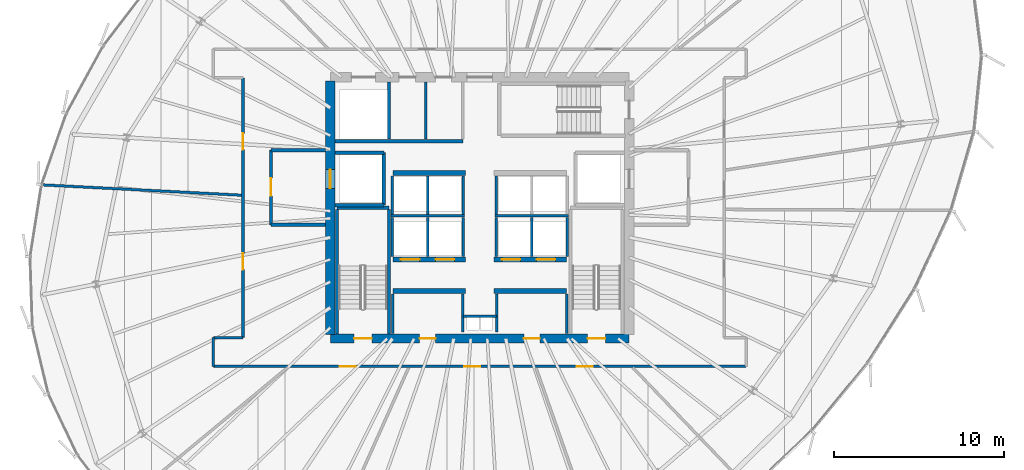
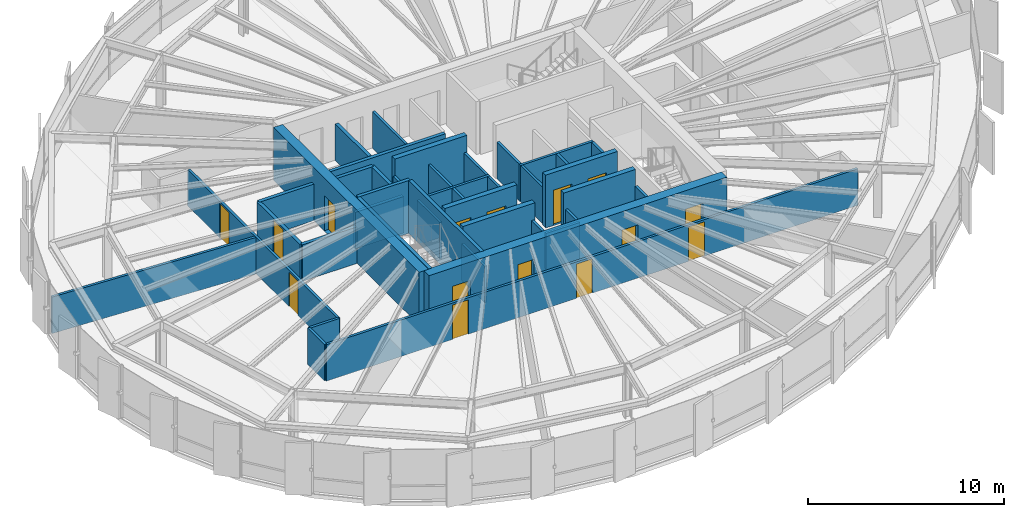
# One storey, part 26 of 32: 41 walls, 15 doors, 15 openings.
"""IFC4 building model written with IfcOpenShell, lengths in metres."""

from ifc_helpers import new_model, si_unit, direction, frame, frame_2d, origin, place, context, subcontext, project, spatial, rectangle, extrude, source, transform, mapped, material, layer, layer_set, type_object, element, fill, save


model = new_model("IFC4")

# Units and contexts
model_context = context("Model", 3, precision=1e-05, world=origin(), true_north=direction((0.0, 1.0)))
body_context = subcontext(model_context, "Body", "Model", "MODEL_VIEW")
ifc_project = project(units=[si_unit("LENGTHUNIT", "METRE"), si_unit("AREAUNIT", "SQUARE_METRE"), si_unit("VOLUMEUNIT", "CUBIC_METRE"), si_unit("PLANEANGLEUNIT", "RADIAN"), si_unit("MASSUNIT", "GRAM", prefix="KILO"), si_unit("THERMODYNAMICTEMPERATUREUNIT", "KELVIN")], contexts=[model_context])

# Site, building, storey
site_placement = place(None, origin())
site = spatial("IfcSite", under=ifc_project, at=site_placement, CompositionType="ELEMENT")
building_placement = place(site_placement, origin())
building = spatial("IfcBuilding", under=site, at=building_placement, Name="Kethvar Cultural Tower", CompositionType="ELEMENT")
storey_placement = place(building_placement, frame((0.0, 0.0, 160.75)))
storey = spatial("IfcBuildingStorey", under=building, at=storey_placement, Name="L41", CompositionType="ELEMENT", Elevation=160.75)

# Wall, openings, doors
ifc_material_1 = material(Name="Concrete C60/75", Category="concrete")
ifc_layer_1 = layer(ifc_material_1, 0.550048828125, Name="Concrete C60/75", Category="concrete")
ifc_layer_set_1 = layer_set([ifc_layer_1], Name="Concrete C60/75 (550 mm)")
wall_type_1 = type_object("IfcWallType", Name="WL-CORE-550", PredefinedType="SHEAR", material=ifc_layer_set_1)
wall_1_placement = place(storey_placement, frame((38.0, 20.10009765625, 0.0), z_axis=(0.0, 0.0, 1.0), x_axis=(1.0, 0.0, 0.0)))
wall_1 = element("IfcWall", 1, at=wall_1_placement, inside=storey, type_object=wall_type_1, Name="L41 Core Shear Wall S", PredefinedType="SHEAR", context=body_context, shape_type="SweptSolid", body=[
    extrude(rectangle(XDim=17.60009765625, YDim=0.550048828125, at=frame_2d((8.800048828125, 0.0))), origin(), (0.0, 0.0, 1.0), 3.300048828125),
])
opening_1_placement = place(wall_1_placement, frame((1.39990234375, 0.0, 0.0)))
opening_1 = element("IfcOpeningElement", 2, at=opening_1_placement, cuts=wall_1, Name="Opening D-L41-S1", PredefinedType="OPENING", context=body_context, shape_type="SweptSolid", body=[
    extrude(rectangle(XDim=1.050048828125, YDim=2.14990234375, at=frame_2d((0.52490234375, 1.074951171875))), frame((0.0, 0.284912109375, 0.0), z_axis=(0.0, -1.0, 0.0), x_axis=(1.0, 0.0, 0.0)), (0.0, 0.0, 1.0), 0.570068359375),
])
opening_2_placement = place(wall_1_placement, frame((15.14990234375, 0.0, 0.0)))
opening_2 = element("IfcOpeningElement", 3, at=opening_2_placement, cuts=wall_1, Name="Opening D-L41-ST2", PredefinedType="OPENING", context=body_context, shape_type="SweptSolid", body=[
    extrude(rectangle(XDim=1.050048828125, YDim=2.14990234375, at=frame_2d((0.52490234375, 1.074951171875))), frame((0.0, 0.284912109375, 0.0), z_axis=(0.0, -1.0, 0.0), x_axis=(1.0, 0.0, 0.0)), (0.0, 0.0, 1.0), 0.570068359375),
])
opening_3_placement = place(wall_1_placement, frame((5.25, 0.0, 0.0)))
opening_3 = element("IfcOpeningElement", 4, at=opening_3_placement, cuts=wall_1, Name="Opening D-L41-V1", PredefinedType="OPENING", context=body_context, shape_type="SweptSolid", body=[
    extrude(rectangle(XDim=0.949951171875, YDim=2.14990234375, at=frame_2d((0.47509765625, 1.074951171875))), frame((0.0, 0.284912109375, 0.0), z_axis=(0.0, -1.0, 0.0), x_axis=(1.0, 0.0, 0.0)), (0.0, 0.0, 1.0), 0.570068359375),
])
opening_4_placement = place(wall_1_placement, frame((11.39990234375, 0.0, 0.0)))
opening_4 = element("IfcOpeningElement", 5, at=opening_4_placement, cuts=wall_1, Name="Opening D-L41-V2", PredefinedType="OPENING", context=body_context, shape_type="SweptSolid", body=[
    extrude(rectangle(XDim=0.949951171875, YDim=2.14990234375, at=frame_2d((0.47509765625, 1.074951171875))), frame((0.0, 0.284912109375, 0.0), z_axis=(0.0, -1.0, 0.0), x_axis=(1.0, 0.0, 0.0)), (0.0, 0.0, 1.0), 0.570068359375),
])
ifc_material_2 = material(Name="Steel S355J2", Category="steel")
door_type_1 = type_object("IfcDoorType", Name="DR-FD60-1050", OperationType="NOTDEFINED", PredefinedType="DOOR", material=ifc_material_2)
shared_shape_1 = source(origin(), body_context, "Body", "SweptSolid", [
    extrude(rectangle(XDim=1.050048828125, YDim=2.14990234375, at=frame_2d((0.52490234375, 1.074951171875))), frame((0.0, 0.02490234375, 0.0), z_axis=(0.0, -1.0, 0.0), x_axis=(1.0, 0.0, 0.0)), (0.0, 0.0, 1.0), 0.050048828125),
])
door_1_placement = place(opening_1_placement, origin())
door_1 = element("IfcDoor", 6, at=door_1_placement, inside=storey, type_object=door_type_1, Name="L41 Exit Stair 1 Door", OperationType="SINGLE_SWING_LEFT", OverallHeight=2.14990234375, OverallWidth=1.050048828125, PredefinedType="DOOR", context=body_context, shape_type="MappedRepresentation", body=[
    mapped(shared_shape_1, transform((0.0, 0.0, 0.0), scale=1.0)),
])
fill(opening_1, door_1)
door_2_placement = place(opening_2_placement, origin())
door_2 = element("IfcDoor", 7, at=door_2_placement, inside=storey, type_object=door_type_1, Name="L41 Exit Stair 2 Door", OperationType="SINGLE_SWING_RIGHT", OverallHeight=2.14990234375, OverallWidth=1.050048828125, PredefinedType="DOOR", context=body_context, shape_type="MappedRepresentation", body=[
    mapped(shared_shape_1, transform((0.0, 0.0, 0.0), scale=1.0)),
])
fill(opening_2, door_2)
ifc_material_3 = material(Name="Architectural Oak Timber", Category="wood")
door_type_2 = type_object("IfcDoorType", Name="DR-FD30-950", OperationType="NOTDEFINED", PredefinedType="DOOR", material=ifc_material_3)
shared_shape_2 = source(origin(), body_context, "Body", "SweptSolid", [
    extrude(rectangle(XDim=0.949951171875, YDim=2.14990234375, at=frame_2d((0.47509765625, 1.074951171875))), frame((0.0, 0.02490234375, 0.0), z_axis=(0.0, -1.0, 0.0), x_axis=(1.0, 0.0, 0.0)), (0.0, 0.0, 1.0), 0.050048828125),
])
door_3_placement = place(opening_3_placement, origin())
door_3 = element("IfcDoor", 8, at=door_3_placement, inside=storey, type_object=door_type_2, Name="L41 Reclaimed West Room Door", OperationType="SINGLE_SWING_LEFT", OverallHeight=2.14990234375, OverallWidth=0.949951171875, PredefinedType="DOOR", context=body_context, shape_type="MappedRepresentation", body=[
    mapped(shared_shape_2, transform((0.0, 0.0, 0.0), scale=1.0)),
])
fill(opening_3, door_3)
door_4_placement = place(opening_4_placement, origin())
door_4 = element("IfcDoor", 9, at=door_4_placement, inside=storey, type_object=door_type_2, Name="L41 Reclaimed East Room Door", OperationType="SINGLE_SWING_RIGHT", OverallHeight=2.14990234375, OverallWidth=0.949951171875, PredefinedType="DOOR", context=body_context, shape_type="MappedRepresentation", body=[
    mapped(shared_shape_2, transform((0.0, 0.0, 0.0), scale=1.0)),
])
fill(opening_4, door_4)

# Wall, opening, door
wall_2_placement = place(storey_placement, frame((38.0, 35.260009765625, 0.0), z_axis=(0.0, 0.0, 1.0), x_axis=(0.0, -1.0, 0.0)))
wall_2 = element("IfcWall", 10, at=wall_2_placement, inside=storey, type_object=wall_type_1, Name="L41 Core Shear Wall W", PredefinedType="SHEAR", context=body_context, shape_type="SweptSolid", body=[
    extrude(rectangle(XDim=14.919921875, YDim=0.550048828125, at=frame_2d((7.4599609375, 0.0))), origin(), (0.0, 0.0, 1.0), 3.300048828125),
])
opening_5_placement = place(wall_2_placement, frame((5.2099609375, 0.0, 0.0)))
opening_5 = element("IfcOpeningElement", 11, at=opening_5_placement, cuts=wall_2, Name="Opening LD-1", PredefinedType="OPENING", context=body_context, shape_type="SweptSolid", body=[
    extrude(rectangle(XDim=1.10009765625, YDim=2.199951171875, at=frame_2d((0.550048828125, 1.10009765625))), frame((0.0, 0.284912109375, 0.0), z_axis=(0.0, -1.0, 0.0), x_axis=(1.0, 0.0, 0.0)), (0.0, 0.0, 1.0), 0.570068359375),
])
door_type_3 = type_object("IfcDoorType", Name="DR-LIFT-SLIDE-1100", OperationType="NOTDEFINED", PredefinedType="DOOR", material=ifc_material_2)
shared_shape_3 = source(origin(), body_context, "Body", "SweptSolid", [
    extrude(rectangle(XDim=1.10009765625, YDim=2.199951171875, at=frame_2d((0.550048828125, 1.10009765625))), frame((0.0, 0.02490234375, 0.0), z_axis=(0.0, -1.0, 0.0), x_axis=(1.0, 0.0, 0.0)), (0.0, 0.0, 1.0), 0.050048828125),
])
door_5_placement = place(opening_5_placement, origin())
door_5 = element("IfcDoor", 12, at=door_5_placement, inside=storey, type_object=door_type_3, Name="L41 Firefighting Lift Landing Door FFL-01", OperationType="SLIDING_TO_LEFT", OverallHeight=2.199951171875, OverallWidth=1.10009765625, PredefinedType="DOOR", context=body_context, shape_type="MappedRepresentation", body=[
    mapped(shared_shape_3, transform((0.0, 0.0, 0.0), scale=1.0)),
])
fill(opening_5, door_5)

# Walls
ifc_material_4 = material(Name="Gypsum Fireboard Partition")
ifc_layer_2 = layer(ifc_material_4, 0.14990234375, Name="Gypsum Fireboard Partition")
ifc_layer_set_2 = layer_set([ifc_layer_2], Name="Gypsum Fireboard Partition (150 mm)")
wall_type_2 = type_object("IfcWallType", Name="WL-FIRE-150", PredefinedType="PARTITIONING", material=ifc_layer_set_2)
wall_3_placement = place(storey_placement, frame((45.800048828125, 21.419921875, 0.0), z_axis=(0.0, 0.0, 1.0), x_axis=(1.0, 0.0, 0.0)))
element("IfcWall", 13, at=wall_3_placement, inside=storey, type_object=wall_type_2, Name="L41 Core Riser Wall", PredefinedType="PARTITIONING", context=body_context, shape_type="SweptSolid", body=[
    extrude(rectangle(XDim=2.0, YDim=0.14990234375, at=frame_2d((1.0, 0.0))), origin(), (0.0, 0.0, 1.0), 2.280029296875),
])
for number, where, z_axis, x_axis, name in (
    (14, (45.800048828125, 20.47998046875, 0.0), (0.0, 0.0, 1.0), (0.0, 1.0, 0.0), "L41 Core Riser West Wall"),
    (15, (47.800048828125, 20.47998046875, 0.0), (0.0, 0.0, 1.0), (0.0, 1.0, 0.0), "L41 Core Riser East Wall"),
):
    element("IfcWall", number, at=place(storey_placement, frame(where, z_axis=z_axis, x_axis=x_axis)), inside=storey, type_object=wall_type_2, Name=name, PredefinedType="PARTITIONING", context=body_context, shape_type="SweptSolid", body=[
        extrude(rectangle(XDim=2.239990234375, YDim=0.14990234375, at=frame_2d((1.1201171875, 0.0))), origin(), (0.0, 0.0, 1.0), 2.280029296875),
    ])
for number, where, z_axis, x_axis, name in (
    (16, (41.679931640625, 20.385009765625, 0.0), (0.0, 0.0, 1.0), (0.0, 1.0, 0.0), "L41 Reclaimed West Outer Wall"),
    (17, (51.919921875, 20.385009765625, 0.0), (0.0, 0.0, 1.0), (0.0, 1.0, 0.0), "L41 Reclaimed East Outer Wall"),
):
    element("IfcWall", number, at=place(storey_placement, frame(where, z_axis=z_axis, x_axis=x_axis)), inside=storey, type_object=wall_type_2, Name=name, PredefinedType="PARTITIONING", context=body_context, shape_type="SweptSolid", body=[
        extrude(rectangle(XDim=2.344970703125, YDim=0.14990234375, at=frame_2d((1.17236328125, 0.0))), origin(), (0.0, 0.0, 1.0), 2.280029296875),
    ])
wall_4_placement = place(storey_placement, frame((41.580078125, 27.324951171875, 0.0), z_axis=(0.0, 0.0, 1.0), x_axis=(1.0, 0.0, 0.0)))
element("IfcWall", 18, at=wall_4_placement, inside=storey, type_object=wall_type_2, Name="L41 Mid-High Lift Shaft Back Wall W", PredefinedType="PARTITIONING", context=body_context, shape_type="SweptSolid", body=[
    extrude(rectangle(XDim=4.31982421875, YDim=0.14990234375, at=frame_2d((2.159912109375, 0.0))), origin(), (0.0, 0.0, 1.0), 2.280029296875),
])
wall_5_placement = place(storey_placement, frame((47.699951171875, 27.324951171875, 0.0), z_axis=(0.0, 0.0, 1.0), x_axis=(1.0, 0.0, 0.0)))
element("IfcWall", 19, at=wall_5_placement, inside=storey, type_object=wall_type_2, Name="L41 Mid-High Lift Shaft Back Wall E", PredefinedType="PARTITIONING", context=body_context, shape_type="SweptSolid", body=[
    extrude(rectangle(XDim=4.320068359375, YDim=0.14990234375, at=frame_2d((2.16015625, 0.0))), origin(), (0.0, 0.0, 1.0), 2.280029296875),
])
for number, where, z_axis, x_axis, name in (
    (20, (41.64990234375, 24.919921875, 0.0), (0.0, 0.0, 1.0), (0.0, 1.0, 0.0), "L41 Mid-Rise Lift Shaft Outer Wall W"),
    (21, (43.72509765625, 24.919921875, 0.0), (0.0, 0.0, 1.0), (0.0, 1.0, 0.0), "L41 Mid-Rise Lift Shaft Divider W"),
    (22, (45.824951171875, 24.919921875, 0.0), (0.0, 0.0, 1.0), (0.0, 1.0, 0.0), "L41 Mid-Rise Lift Shaft Concourse Wall W"),
    (23, (47.77490234375, 24.919921875, 0.0), (0.0, 0.0, 1.0), (0.0, 1.0, 0.0), "L41 Mid-Rise Lift Shaft Concourse Wall E"),
    (24, (49.875, 24.919921875, 0.0), (0.0, 0.0, 1.0), (0.0, 1.0, 0.0), "L41 Mid-Rise Lift Shaft Divider E"),
    (25, (51.949951171875, 24.919921875, 0.0), (0.0, 0.0, 1.0), (0.0, 1.0, 0.0), "L41 Mid-Rise Lift Shaft Outer Wall E"),
):
    element("IfcWall", number, at=place(storey_placement, frame(where, z_axis=z_axis, x_axis=x_axis)), inside=storey, type_object=wall_type_2, Name=name, PredefinedType="PARTITIONING", context=body_context, shape_type="SweptSolid", body=[
        extrude(rectangle(XDim=2.320068359375, YDim=0.14990234375, at=frame_2d((1.16015625, 0.0))), origin(), (0.0, 0.0, 1.0), 2.280029296875),
    ])
for number, where, z_axis, x_axis, name in (
    (26, (41.64990234375, 27.409912109375, 0.0), (0.0, 0.0, 1.0), (0.0, 1.0, 0.0), "L41 High-Rise Lift Shaft Outer Wall W"),
    (27, (43.72509765625, 27.409912109375, 0.0), (0.0, 0.0, 1.0), (0.0, 1.0, 0.0), "L41 High-Rise Lift Shaft Divider W"),
    (28, (45.824951171875, 27.409912109375, 0.0), (0.0, 0.0, 1.0), (0.0, 1.0, 0.0), "L41 High-Rise Lift Shaft Concourse Wall W"),
    (29, (47.77490234375, 27.409912109375, 0.0), (0.0, 0.0, 1.0), (0.0, 1.0, 0.0), "L41 High-Rise Lift Shaft Concourse Wall E"),
):
    element("IfcWall", number, at=place(storey_placement, frame(where, z_axis=z_axis, x_axis=x_axis)), inside=storey, type_object=wall_type_2, Name=name, PredefinedType="PARTITIONING", context=body_context, shape_type="SweptSolid", body=[
        extrude(rectangle(XDim=2.27001953125, YDim=0.14990234375, at=frame_2d((1.135009765625, 0.0))), origin(), (0.0, 0.0, 1.0), 2.280029296875),
    ])

# Wall, openings, doors
wall_6_placement = place(storey_placement, frame((31.10009765625, 18.449951171875, 0.0), z_axis=(0.0, 0.0, 1.0), x_axis=(1.0, 0.0, 0.0)))
wall_6 = element("IfcWall", 30, at=wall_6_placement, inside=storey, type_object=wall_type_2, Name="L41 Corridor Rated Wall S", PredefinedType="PARTITIONING", context=body_context, shape_type="SweptSolid", body=[
    extrude(rectangle(XDim=31.39990234375, YDim=0.14990234375, at=frame_2d((15.699951171875, 0.0))), origin(), (0.0, 0.0, 1.0), 2.280029296875),
])
opening_6_placement = place(wall_6_placement, frame((7.440673828125, 0.0, 0.0)))
opening_6 = element("IfcOpeningElement", 31, at=opening_6_placement, cuts=wall_6, Name="Opening D-L41-01", PredefinedType="OPENING", context=body_context, shape_type="SweptSolid", body=[
    extrude(rectangle(XDim=0.949951171875, YDim=2.14990234375, at=frame_2d((0.47509765625, 1.074951171875))), frame((0.0, 0.0849609375, 0.0), z_axis=(0.0, -1.0, 0.0), x_axis=(1.0, 0.0, 0.0)), (0.0, 0.0, 1.0), 0.169921875),
])
opening_7_placement = place(wall_6_placement, frame((14.78369140625, 0.0, 0.0)))
opening_7 = element("IfcOpeningElement", 32, at=opening_7_placement, cuts=wall_6, Name="Opening D-L41-02", PredefinedType="OPENING", context=body_context, shape_type="SweptSolid", body=[
    extrude(rectangle(XDim=0.949951171875, YDim=2.14990234375, at=frame_2d((0.47509765625, 1.074951171875))), frame((0.0, 0.0849609375, 0.0), z_axis=(0.0, -1.0, 0.0), x_axis=(1.0, 0.0, 0.0)), (0.0, 0.0, 1.0), 0.169921875),
])
opening_8_placement = place(wall_6_placement, frame((21.40087890625, 0.0, 0.0)))
opening_8 = element("IfcOpeningElement", 33, at=opening_8_placement, cuts=wall_6, Name="Opening D-L41-03", PredefinedType="OPENING", context=body_context, shape_type="SweptSolid", body=[
    extrude(rectangle(XDim=0.949951171875, YDim=2.14990234375, at=frame_2d((0.47509765625, 1.074951171875))), frame((0.0, 0.0849609375, 0.0), z_axis=(0.0, -1.0, 0.0), x_axis=(1.0, 0.0, 0.0)), (0.0, 0.0, 1.0), 0.169921875),
])
door_6_placement = place(opening_6_placement, origin())
door_6 = element("IfcDoor", 34, at=door_6_placement, inside=storey, type_object=door_type_2, Name="L41 Institutional Tenant Office 01 Door", OperationType="SINGLE_SWING_RIGHT", OverallHeight=2.14990234375, OverallWidth=0.949951171875, PredefinedType="DOOR", context=body_context, shape_type="MappedRepresentation", body=[
    mapped(shared_shape_2, transform((0.0, 0.0, 0.0), scale=1.0)),
])
fill(opening_6, door_6)
door_7_placement = place(opening_7_placement, origin())
door_7 = element("IfcDoor", 35, at=door_7_placement, inside=storey, type_object=door_type_2, Name="L41 Editorial Partner Office 02 Door", OperationType="SINGLE_SWING_LEFT", OverallHeight=2.14990234375, OverallWidth=0.949951171875, PredefinedType="DOOR", context=body_context, shape_type="MappedRepresentation", body=[
    mapped(shared_shape_2, transform((0.0, 0.0, 0.0), scale=1.0)),
])
fill(opening_7, door_7)
door_8_placement = place(opening_8_placement, origin())
door_8 = element("IfcDoor", 36, at=door_8_placement, inside=storey, type_object=door_type_2, Name="L41 Open Plan Office 03 Door", OperationType="SINGLE_SWING_RIGHT", OverallHeight=2.14990234375, OverallWidth=0.949951171875, PredefinedType="DOOR", context=body_context, shape_type="MappedRepresentation", body=[
    mapped(shared_shape_2, transform((0.0, 0.0, 0.0), scale=1.0)),
])
fill(opening_8, door_8)

wall_7_placement = place(storey_placement, frame((32.85009765625, 35.449951171875, 0.0), z_axis=(0.0, 0.0, 1.0), x_axis=(0.0, -1.0, 0.0)))
wall_7 = element("IfcWall", 37, at=wall_7_placement, inside=storey, type_object=wall_type_2, Name="L41 Corridor Rated Wall WM", PredefinedType="PARTITIONING", context=body_context, shape_type="SweptSolid", body=[
    extrude(rectangle(XDim=15.300048828125, YDim=0.14990234375, at=frame_2d((7.64990234375, 0.0))), origin(), (0.0, 0.0, 1.0), 2.280029296875),
])
opening_9_placement = place(wall_7_placement, frame((3.271484375, 0.0, 0.0)))
opening_9 = element("IfcOpeningElement", 38, at=opening_9_placement, cuts=wall_7, Name="Opening D-L41-09", PredefinedType="OPENING", context=body_context, shape_type="SweptSolid", body=[
    extrude(rectangle(XDim=0.949951171875, YDim=2.14990234375, at=frame_2d((0.47509765625, 1.074951171875))), frame((0.0, 0.0849609375, 0.0), z_axis=(0.0, -1.0, 0.0), x_axis=(1.0, 0.0, 0.0)), (0.0, 0.0, 1.0), 0.169921875),
])
opening_10_placement = place(wall_7_placement, frame((10.34130859375, 0.0, 0.0)))
opening_10 = element("IfcOpeningElement", 39, at=opening_10_placement, cuts=wall_7, Name="Opening D-L41-10", PredefinedType="OPENING", context=body_context, shape_type="SweptSolid", body=[
    extrude(rectangle(XDim=0.949951171875, YDim=2.14990234375, at=frame_2d((0.47509765625, 1.074951171875))), frame((0.0, 0.0849609375, 0.0), z_axis=(0.0, -1.0, 0.0), x_axis=(1.0, 0.0, 0.0)), (0.0, 0.0, 1.0), 0.169921875),
])
door_9_placement = place(opening_9_placement, origin())
door_9 = element("IfcDoor", 40, at=door_9_placement, inside=storey, type_object=door_type_2, Name="L41 Members' Dining Lounge 09 Door", OperationType="SINGLE_SWING_RIGHT", OverallHeight=2.14990234375, OverallWidth=0.949951171875, PredefinedType="DOOR", context=body_context, shape_type="MappedRepresentation", body=[
    mapped(shared_shape_2, transform((0.0, 0.0, 0.0), scale=1.0)),
])
fill(opening_9, door_9)
door_10_placement = place(opening_10_placement, origin())
door_10 = element("IfcDoor", 41, at=door_10_placement, inside=storey, type_object=door_type_2, Name="L41 Visitor Reception 10 Door", OperationType="SINGLE_SWING_LEFT", OverallHeight=2.14990234375, OverallWidth=0.949951171875, PredefinedType="DOOR", context=body_context, shape_type="MappedRepresentation", body=[
    mapped(shared_shape_2, transform((0.0, 0.0, 0.0), scale=1.0)),
])
fill(opening_10, door_10)

# Walls
wall_8_placement = place(storey_placement, frame((32.85009765625, 20.14990234375, 0.0), z_axis=(0.0, 0.0, 1.0), x_axis=(-1.0, 0.0, 0.0)))
element("IfcWall", 42, at=wall_8_placement, inside=storey, type_object=wall_type_2, Name="L41 Corridor Rated Wall WST", PredefinedType="PARTITIONING", context=body_context, shape_type="SweptSolid", body=[
    extrude(rectangle(XDim=1.75, YDim=0.14990234375, at=frame_2d((0.875, 0.0))), origin(), (0.0, 0.0, 1.0), 2.280029296875),
])
wall_9_placement = place(storey_placement, frame((31.10009765625, 20.14990234375, 0.0), z_axis=(0.0, 0.0, 1.0), x_axis=(0.0, -1.0, 0.0)))
element("IfcWall", 43, at=wall_9_placement, inside=storey, type_object=wall_type_2, Name="L41 Corridor Rated Wall WS", PredefinedType="PARTITIONING", context=body_context, shape_type="SweptSolid", body=[
    extrude(rectangle(XDim=1.699951171875, YDim=0.14990234375, at=frame_2d((0.85009765625, 0.0))), origin(), (0.0, 0.0, 1.0), 2.280029296875),
])
ifc_material_5 = material(Name="Concrete C40/50", Category="concrete")
ifc_layer_3 = layer(ifc_material_5, 0.199951171875, Name="Concrete C40/50", Category="concrete")
ifc_layer_set_3 = layer_set([ifc_layer_3], Name="Concrete C40/50 (200 mm)")
wall_type_3 = type_object("IfcWallType", Name="WL-FIRE-200", PredefinedType="PARTITIONING", material=ifc_layer_set_3)
wall_10_placement = place(storey_placement, frame((41.14990234375, 27.949951171875, 0.0), z_axis=(0.0, 0.0, 1.0), x_axis=(0.0, 1.0, 0.0)))
element("IfcWall", 44, at=wall_10_placement, inside=storey, type_object=wall_type_3, Name="L41 FFL-01 Shaft Inner Wall", PredefinedType="PARTITIONING", context=body_context, shape_type="SweptSolid", body=[
    extrude(rectangle(XDim=3.10009765625, YDim=0.199951171875, at=frame_2d((1.550048828125, 0.0))), origin(), (0.0, 0.0, 1.0), 2.280029296875),
])
for number, where, z_axis, x_axis, name in (
    (45, (38.284912109375, 27.949951171875, 0.0), (0.0, 0.0, 1.0), (1.0, 0.0, 0.0), "L41 FFL-01 Shaft South Wall"),
    (46, (38.284912109375, 31.050048828125, 0.0), (0.0, 0.0, 1.0), (1.0, 0.0, 0.0), "L41 FFL-01 Shaft North Wall"),
):
    element("IfcWall", number, at=place(storey_placement, frame(where, z_axis=z_axis, x_axis=x_axis)), inside=storey, type_object=wall_type_3, Name=name, PredefinedType="PARTITIONING", context=body_context, shape_type="SweptSolid", body=[
        extrude(rectangle(XDim=2.864990234375, YDim=0.199951171875, at=frame_2d((1.4326171875, 0.0))), origin(), (0.0, 0.0, 1.0), 2.280029296875),
    ])

# Wall, opening, door
wall_11_placement = place(storey_placement, frame((34.5, 31.199951171875, 0.0), z_axis=(0.0, 0.0, 1.0), x_axis=(0.0, -1.0, 0.0)))
wall_11 = element("IfcWall", 47, at=wall_11_placement, inside=storey, type_object=wall_type_3, Name="L41 Firefighting Lobby 1 Wall", PredefinedType="PARTITIONING", context=body_context, shape_type="SweptSolid", body=[
    extrude(rectangle(XDim=4.39990234375, YDim=0.199951171875, at=frame_2d((2.199951171875, 0.0))), origin(), (0.0, 0.0, 1.0), 2.280029296875),
])
opening_11_placement = place(wall_11_placement, frame((1.64990234375, 0.0, 0.0)))
opening_11 = element("IfcOpeningElement", 48, at=opening_11_placement, cuts=wall_11, Name="Opening D-L41-F1", PredefinedType="OPENING", context=body_context, shape_type="SweptSolid", body=[
    extrude(rectangle(XDim=1.050048828125, YDim=2.14990234375, at=frame_2d((0.52490234375, 1.074951171875))), frame((0.0, 0.10986328125, 0.0), z_axis=(0.0, -1.0, 0.0), x_axis=(1.0, 0.0, 0.0)), (0.0, 0.0, 1.0), 0.219970703125),
])
door_11_placement = place(opening_11_placement, origin())
door_11 = element("IfcDoor", 49, at=door_11_placement, inside=storey, type_object=door_type_1, Name="L41 Firefighting Lobby 1 Fire Door", OperationType="SINGLE_SWING_LEFT", OverallHeight=2.14990234375, OverallWidth=1.050048828125, PredefinedType="DOOR", context=body_context, shape_type="MappedRepresentation", body=[
    mapped(shared_shape_1, transform((0.0, 0.0, 0.0), scale=1.0)),
])
fill(opening_11, door_11)

# Walls
for number, where, z_axis, x_axis, name in (
    (50, (34.5, 26.800048828125, 0.0), (0.0, 0.0, 1.0), (1.0, 0.0, 0.0), "L41 FF Lobby 1 South Wall"),
    (51, (34.5, 31.199951171875, 0.0), (0.0, 0.0, 1.0), (1.0, 0.0, 0.0), "L41 FF Lobby 1 North Wall"),
):
    element("IfcWall", number, at=place(storey_placement, frame(where, z_axis=z_axis, x_axis=x_axis)), inside=storey, type_object=wall_type_3, Name=name, PredefinedType="PARTITIONING", context=body_context, shape_type="SweptSolid", body=[
        extrude(rectangle(XDim=3.215087890625, YDim=0.199951171875, at=frame_2d((1.607421875, 0.0))), origin(), (0.0, 0.0, 1.0), 2.280029296875),
    ])
wall_12_placement = place(storey_placement, frame((41.449951171875, 31.85009765625, 0.0), z_axis=(0.0, 0.0, 1.0), x_axis=(0.0, 1.0, 0.0)))
element("IfcWall", 52, at=wall_12_placement, inside=storey, type_object=wall_type_3, Name="L41 NW Core Pocket Wall", PredefinedType="PARTITIONING", context=body_context, shape_type="SweptSolid", body=[
    extrude(rectangle(XDim=3.364990234375, YDim=0.199951171875, at=frame_2d((1.6826171875, 0.0))), origin(), (0.0, 0.0, 1.0), 2.280029296875),
])
wall_13_placement = place(storey_placement, frame((38.284912109375, 31.72998046875, 0.0), z_axis=(0.0, 0.0, 1.0), x_axis=(1.0, 0.0, 0.0)))
element("IfcWall", 53, at=wall_13_placement, inside=storey, type_object=wall_type_3, Name="L41 North Core Sanitary South Wall", PredefinedType="PARTITIONING", context=body_context, shape_type="SweptSolid", body=[
    extrude(rectangle(XDim=7.51513671875, YDim=0.199951171875, at=frame_2d((3.757568359375, 0.0))), origin(), (0.0, 0.0, 1.0), 2.280029296875),
])
ifc_material_6 = material(Name="Gypsum Acoustic Partition")
ifc_layer_4 = layer(ifc_material_6, 0.14990234375, Name="Gypsum Acoustic Partition")
ifc_layer_set_4 = layer_set([ifc_layer_4], Name="Gypsum Acoustic Partition (150 mm)")
wall_type_4 = type_object("IfcWallType", Name="WL-PART-150", PredefinedType="PARTITIONING", material=ifc_layer_set_4)
wall_14_placement = place(storey_placement, frame((32.77001953125, 28.541015625, 0.0), z_axis=(0.0, 0.0, 1.0), x_axis=(-0.998659484512, 0.051761317539, 0.0)))
element("IfcWall", 54, at=wall_14_placement, inside=storey, type_object=wall_type_4, Name="L41 Radial Partition Wall 10", PredefinedType="PARTITIONING", context=body_context, shape_type="SweptSolid", body=[
    extrude(rectangle(XDim=11.697265625, YDim=0.14990234375, at=frame_2d((5.8486328125, 0.0))), origin(), (0.0, 0.0, 1.0), 2.280029296875),
])
ifc_material_7 = material(Name="Moisture-Resistant Sanitary Chase Wall")
ifc_layer_5 = layer(ifc_material_7, 0.14990234375, Name="Moisture-Resistant Sanitary Chase Wall")
ifc_layer_set_5 = layer_set([ifc_layer_5], Name="Moisture-Resistant Sanitary Chase Wall (150 mm)")
wall_type_5 = type_object("IfcWallType", Name="WL-PLUMB-150", PredefinedType="PLUMBINGWALL", material=ifc_layer_set_5)
wall_15_placement = place(storey_placement, frame((43.6201171875, 31.85009765625, 0.0), z_axis=(0.0, 0.0, 1.0), x_axis=(0.0, 1.0, 0.0)))
element("IfcWall", 55, at=wall_15_placement, inside=storey, type_object=wall_type_5, Name="L41 Sanitary Plumbing Wall", PredefinedType="PLUMBINGWALL", context=body_context, shape_type="SweptSolid", body=[
    extrude(rectangle(XDim=3.364990234375, YDim=0.14990234375, at=frame_2d((1.6826171875, 0.0))), origin(), (0.0, 0.0, 1.0), 2.280029296875),
])
ifc_material_8 = material(Name="Concrete C50/60", Category="concrete")
ifc_layer_6 = layer(ifc_material_8, 0.300048828125, Name="Concrete C50/60", Category="concrete")
ifc_layer_set_6 = layer_set([ifc_layer_6], Name="Concrete C50/60 (300 mm)")
wall_type_6 = type_object("IfcWallType", Name="WL-SHAFT-300", PredefinedType="SHEAR", material=ifc_layer_set_6)
for number, where, z_axis, x_axis, name in (
    (56, (41.699951171875, 22.89990234375, 0.0), (0.0, 0.0, 1.0), (1.0, 0.0, 0.0), "L41 Core Lift Spine Wall MID1W"),
    (57, (47.64990234375, 22.89990234375, 0.0), (0.0, 0.0, 1.0), (1.0, 0.0, 0.0), "L41 Core Lift Spine Wall MID1E"),
):
    element("IfcWall", number, at=place(storey_placement, frame(where, z_axis=z_axis, x_axis=x_axis)), inside=storey, type_object=wall_type_6, Name=name, PredefinedType="SHEAR", context=body_context, shape_type="SweptSolid", body=[
        extrude(rectangle(XDim=4.25, YDim=0.300048828125, at=frame_2d((2.125, 0.0))), origin(), (0.0, 0.0, 1.0), 3.300048828125),
    ])

# Wall, openings, doors
wall_16_placement = place(storey_placement, frame((41.699951171875, 24.75, 0.0), z_axis=(0.0, 0.0, 1.0), x_axis=(1.0, 0.0, 0.0)))
wall_16 = element("IfcWall", 58, at=wall_16_placement, inside=storey, type_object=wall_type_6, Name="L41 Core Lift Spine Wall MID2W", PredefinedType="SHEAR", context=body_context, shape_type="SweptSolid", body=[
    extrude(rectangle(XDim=4.25, YDim=0.300048828125, at=frame_2d((2.125, 0.0))), origin(), (0.0, 0.0, 1.0), 3.300048828125),
])
opening_12_placement = place(wall_16_placement, frame((0.449951171875, 0.0, 0.0)))
opening_12 = element("IfcOpeningElement", 59, at=opening_12_placement, cuts=wall_16, Name="Opening LD-M1", PredefinedType="OPENING", context=body_context, shape_type="SweptSolid", body=[
    extrude(rectangle(XDim=1.10009765625, YDim=2.199951171875, at=frame_2d((0.550048828125, 1.10009765625))), frame((0.0, 0.159912109375, 0.0), z_axis=(0.0, -1.0, 0.0), x_axis=(1.0, 0.0, 0.0)), (0.0, 0.0, 1.0), 0.320068359375),
])
opening_13_placement = place(wall_16_placement, frame((2.5, 0.0, 0.0)))
opening_13 = element("IfcOpeningElement", 60, at=opening_13_placement, cuts=wall_16, Name="Opening LD-M2", PredefinedType="OPENING", context=body_context, shape_type="SweptSolid", body=[
    extrude(rectangle(XDim=1.10009765625, YDim=2.199951171875, at=frame_2d((0.550048828125, 1.10009765625))), frame((0.0, 0.159912109375, 0.0), z_axis=(0.0, -1.0, 0.0), x_axis=(1.0, 0.0, 0.0)), (0.0, 0.0, 1.0), 0.320068359375),
])
door_12_placement = place(opening_12_placement, origin())
door_12 = element("IfcDoor", 61, at=door_12_placement, inside=storey, type_object=door_type_3, Name="L41 Mid-Rise Lift Landing Door M1", OperationType="SLIDING_TO_RIGHT", OverallHeight=2.199951171875, OverallWidth=1.10009765625, PredefinedType="DOOR", context=body_context, shape_type="MappedRepresentation", body=[
    mapped(shared_shape_3, transform((0.0, 0.0, 0.0), scale=1.0)),
])
fill(opening_12, door_12)
door_13_placement = place(opening_13_placement, origin())
door_13 = element("IfcDoor", 62, at=door_13_placement, inside=storey, type_object=door_type_3, Name="L41 Mid-Rise Lift Landing Door M2", OperationType="SLIDING_TO_RIGHT", OverallHeight=2.199951171875, OverallWidth=1.10009765625, PredefinedType="DOOR", context=body_context, shape_type="MappedRepresentation", body=[
    mapped(shared_shape_3, transform((0.0, 0.0, 0.0), scale=1.0)),
])
fill(opening_13, door_13)

wall_17_placement = place(storey_placement, frame((47.64990234375, 24.75, 0.0), z_axis=(0.0, 0.0, 1.0), x_axis=(1.0, 0.0, 0.0)))
wall_17 = element("IfcWall", 63, at=wall_17_placement, inside=storey, type_object=wall_type_6, Name="L41 Core Lift Spine Wall MID2E", PredefinedType="SHEAR", context=body_context, shape_type="SweptSolid", body=[
    extrude(rectangle(XDim=4.25, YDim=0.300048828125, at=frame_2d((2.125, 0.0))), origin(), (0.0, 0.0, 1.0), 3.300048828125),
])
opening_14_placement = place(wall_17_placement, frame((0.449951171875, 0.0, 0.0)))
opening_14 = element("IfcOpeningElement", 64, at=opening_14_placement, cuts=wall_17, Name="Opening LD-M3", PredefinedType="OPENING", context=body_context, shape_type="SweptSolid", body=[
    extrude(rectangle(XDim=1.10009765625, YDim=2.199951171875, at=frame_2d((0.550048828125, 1.10009765625))), frame((0.0, 0.159912109375, 0.0), z_axis=(0.0, -1.0, 0.0), x_axis=(1.0, 0.0, 0.0)), (0.0, 0.0, 1.0), 0.320068359375),
])
opening_15_placement = place(wall_17_placement, frame((2.5, 0.0, 0.0)))
opening_15 = element("IfcOpeningElement", 65, at=opening_15_placement, cuts=wall_17, Name="Opening LD-M4", PredefinedType="OPENING", context=body_context, shape_type="SweptSolid", body=[
    extrude(rectangle(XDim=1.10009765625, YDim=2.199951171875, at=frame_2d((0.550048828125, 1.10009765625))), frame((0.0, 0.159912109375, 0.0), z_axis=(0.0, -1.0, 0.0), x_axis=(1.0, 0.0, 0.0)), (0.0, 0.0, 1.0), 0.320068359375),
])
door_14_placement = place(opening_14_placement, origin())
door_14 = element("IfcDoor", 66, at=door_14_placement, inside=storey, type_object=door_type_3, Name="L41 Mid-Rise Lift Landing Door M3", OperationType="SLIDING_TO_RIGHT", OverallHeight=2.199951171875, OverallWidth=1.10009765625, PredefinedType="DOOR", context=body_context, shape_type="MappedRepresentation", body=[
    mapped(shared_shape_3, transform((0.0, 0.0, 0.0), scale=1.0)),
])
fill(opening_14, door_14)
door_15_placement = place(opening_15_placement, origin())
door_15 = element("IfcDoor", 67, at=door_15_placement, inside=storey, type_object=door_type_3, Name="L41 Mid-Rise Lift Landing Door M4", OperationType="SLIDING_TO_RIGHT", OverallHeight=2.199951171875, OverallWidth=1.10009765625, PredefinedType="DOOR", context=body_context, shape_type="MappedRepresentation", body=[
    mapped(shared_shape_3, transform((0.0, 0.0, 0.0), scale=1.0)),
])
fill(opening_15, door_15)

# Walls
wall_18_placement = place(storey_placement, frame((41.699951171875, 29.85009765625, 0.0), z_axis=(0.0, 0.0, 1.0), x_axis=(1.0, 0.0, 0.0)))
element("IfcWall", 68, at=wall_18_placement, inside=storey, type_object=wall_type_6, Name="L41 Core Lift Spine Wall MID3W", PredefinedType="SHEAR", context=body_context, shape_type="SweptSolid", body=[
    extrude(rectangle(XDim=4.25, YDim=0.300048828125, at=frame_2d((2.125, 0.0))), origin(), (0.0, 0.0, 1.0), 3.300048828125),
])
ifc_layer_7 = layer(ifc_material_8, 0.199951171875, Name="Concrete C50/60", Category="concrete")
ifc_layer_set_7 = layer_set([ifc_layer_7], Name="Concrete C50/60 (200 mm)")
wall_type_7 = type_object("IfcWallType", Name="WL-STSHAFT-200", PredefinedType="SHEAR", material=ifc_layer_set_7)
wall_19_placement = place(storey_placement, frame((38.389892578125, 27.800048828125, 0.0), z_axis=(0.0, 0.0, 1.0), x_axis=(1.0, 0.0, 0.0)))
element("IfcWall", 69, at=wall_19_placement, inside=storey, type_object=wall_type_7, Name="L41 ST-01 Stair Shaft Wall FAR", PredefinedType="SHEAR", context=body_context, shape_type="SweptSolid", body=[
    extrude(rectangle(XDim=3.06005859375, YDim=0.199951171875, at=frame_2d((1.530029296875, 0.0))), origin(), (0.0, 0.0, 1.0), 3.300048828125),
])
for number, where, z_axis, x_axis, name in (
    (70, (41.449951171875, 27.699951171875, 0.0), (0.0, 0.0, 1.0), (0.0, -1.0, 0.0), "L41 ST-01 Stair Shaft Wall LEFT"),
    (71, (38.389892578125, 20.35009765625, 0.0), (0.0, 0.0, 1.0), (0.0, 1.0, 0.0), "L41 ST-01 Stair Shaft Wall RIGHT"),
):
    element("IfcWall", number, at=place(storey_placement, frame(where, z_axis=z_axis, x_axis=x_axis)), inside=storey, type_object=wall_type_7, Name=name, PredefinedType="SHEAR", context=body_context, shape_type="SweptSolid", body=[
        extrude(rectangle(XDim=7.349853515625, YDim=0.199951171875, at=frame_2d((3.6748046875, 0.0))), origin(), (0.0, 0.0, 1.0), 3.300048828125),
    ])

save(model, "model.ifc")
